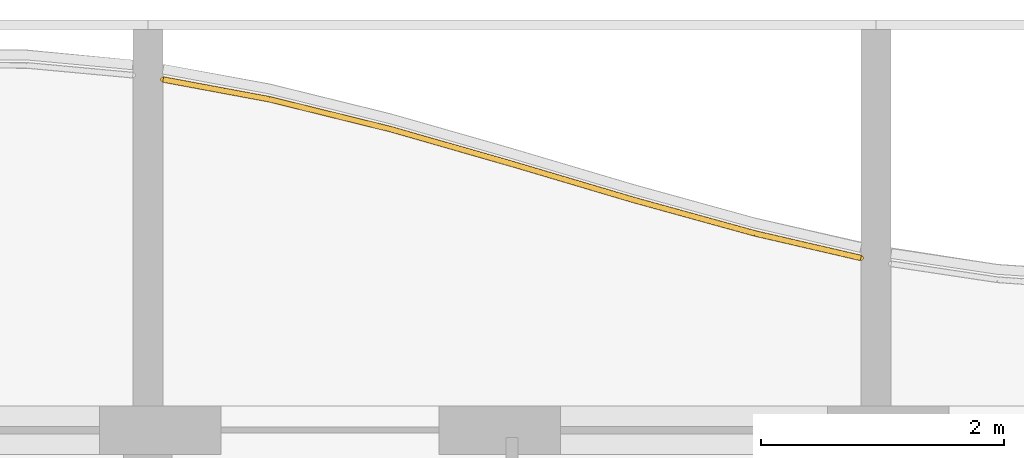
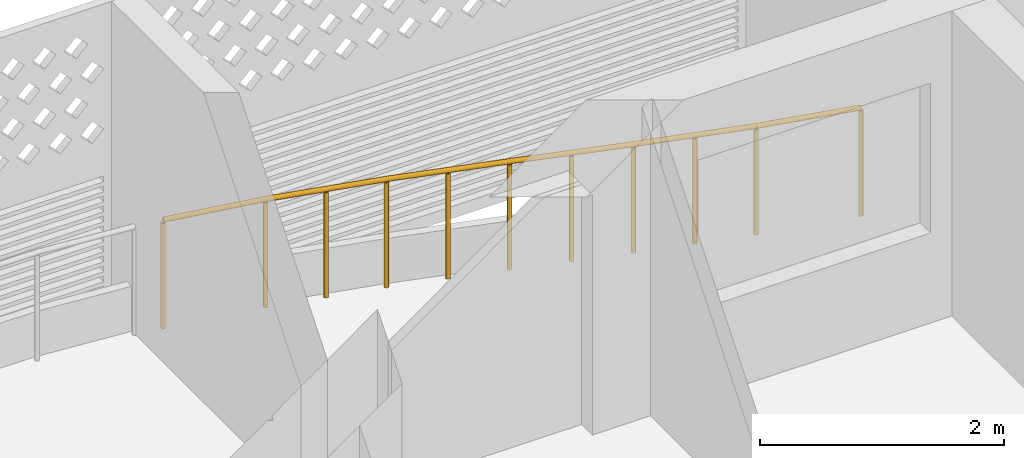
# One storey, part 33 of 39: 1 railing.
"""IFC4 building model written with IfcOpenShell, lengths in metres."""

from ifc_helpers import new_model, si_unit, direction, frame, origin, origin_2d, place, context, subcontext, project, spatial, circle, extrude, material, type_object, element, save


model = new_model("IFC4")

# Units and contexts
model_context = context("Model", 3, precision=1e-05, world=origin(), true_north=direction((0.0, 1.0)))
body_context = subcontext(model_context, "Body", "Model", "MODEL_VIEW")
ifc_project = project(units=[si_unit("LENGTHUNIT", "METRE"), si_unit("AREAUNIT", "SQUARE_METRE"), si_unit("VOLUMEUNIT", "CUBIC_METRE"), si_unit("PLANEANGLEUNIT", "RADIAN"), si_unit("MASSUNIT", "GRAM", prefix="KILO")], contexts=[model_context])

# Site, building, storey
site_placement = place(None, origin())
site = spatial("IfcSite", under=ifc_project, at=site_placement, CompositionType="ELEMENT")
building_placement = place(site_placement, origin())
building = spatial("IfcBuilding", under=site, at=building_placement, Name="Poui Terraces", CompositionType="ELEMENT")
storey_placement = place(building_placement, frame((0.0, 0.0, 56.39990234375)))
storey = spatial("IfcBuildingStorey", under=building, at=storey_placement, Name="L15", CompositionType="ELEMENT", Elevation=56.39990234375)

# Railing
ifc_material = material(Name="Painted steel fretwork", Category="steel")
railing_type = type_object("IfcRailingType", Name="BALCONY GUARD 1100", PredefinedType="GUARDRAIL", material=ifc_material)
railing_placement = place(storey_placement, frame((66.125, 47.689697265625, 0.0)))
element("IfcRailing", 1, at=railing_placement, inside=storey, type_object=railing_type, Name="BALCONY GUARD", PredefinedType="GUARDRAIL", context=body_context, shape_type="SweptSolid", body=[
    extrude(circle(Radius=0.02392578125, at=origin_2d()), frame((0.0, 0.0, 1.076171875), z_axis=(0.983119723729, -0.182963408406, 0.0), x_axis=(0.182963408406, 0.983119723729, 0.0)), (0.0, 0.0, 1.0), 0.89013671875),
    extrude(circle(Radius=0.02392578125, at=origin_2d()), frame((0.875, -0.162841796875, 1.076171875), z_axis=(0.970918311966, -0.239411009542, 0.0), x_axis=(0.239411009542, 0.970918311966, 0.0)), (0.0, 0.0, 1.0), 1.030029296875),
    extrude(circle(Radius=0.02392578125, at=origin_2d()), frame((1.875, -0.409423828125, 1.076171875), z_axis=(0.96141758688, -0.275093118121, 0.0), x_axis=(0.275093118121, 0.96141758688, 0.0)), (0.0, 0.0, 1.0), 1.0400390625),
    extrude(circle(Radius=0.02392578125, at=origin_2d()), frame((2.875, -0.695556640625, 1.076171875), z_axis=(0.958774495191, -0.284168026651, 0.0), x_axis=(0.284168026651, 0.958774495191, 0.0)), (0.0, 0.0, 1.0), 1.04296875),
    extrude(circle(Radius=0.02392578125, at=origin_2d()), frame((3.875, -0.991943359375, 1.076171875), z_axis=(0.963988457226, -0.265944081217, 0.0), x_axis=(0.265944081217, 0.963988457226, 0.0)), (0.0, 0.0, 1.0), 1.037353515625),
    extrude(circle(Radius=0.02392578125, at=origin_2d()), frame((4.875, -1.267822265625, 1.076171875), z_axis=(0.974216814209, -0.225613826951, 0.0), x_axis=(0.225613826951, 0.974216814209, 0.0)), (0.0, 0.0, 1.0), 0.898193359375),
    extrude(circle(Radius=0.02099609375, at=origin_2d()), origin(), (0.0, 0.0, 1.0), 1.052001953125),
    extrude(circle(Radius=0.02099609375, at=origin_2d()), frame((0.875, -0.162841796875, 0.0)), (0.0, 0.0, 1.0), 1.052001953125),
    extrude(circle(Radius=0.02099609375, at=origin_2d()), frame((1.375, -0.2861328125, 0.0)), (0.0, 0.0, 1.0), 1.052001953125),
    extrude(circle(Radius=0.02099609375, at=origin_2d()), frame((1.875, -0.409423828125, 0.0)), (0.0, 0.0, 1.0), 1.052001953125),
    extrude(circle(Radius=0.02099609375, at=origin_2d()), frame((2.375, -0.552490234375, 0.0)), (0.0, 0.0, 1.0), 1.052001953125),
    extrude(circle(Radius=0.02099609375, at=origin_2d()), frame((2.875, -0.695556640625, 0.0)), (0.0, 0.0, 1.0), 1.052001953125),
    extrude(circle(Radius=0.02099609375, at=origin_2d()), frame((3.375, -0.84375, 0.0)), (0.0, 0.0, 1.0), 1.052001953125),
    extrude(circle(Radius=0.02099609375, at=origin_2d()), frame((3.875, -0.991943359375, 0.0)), (0.0, 0.0, 1.0), 1.052001953125),
    extrude(circle(Radius=0.02099609375, at=origin_2d()), frame((4.375, -1.1298828125, 0.0)), (0.0, 0.0, 1.0), 1.052001953125),
    extrude(circle(Radius=0.02099609375, at=origin_2d()), frame((4.875, -1.267822265625, 0.0)), (0.0, 0.0, 1.0), 1.052001953125),
    extrude(circle(Radius=0.02099609375, at=origin_2d()), frame((5.75, -1.470458984375, 0.0)), (0.0, 0.0, 1.0), 1.052001953125),
])

save(model, "model.ifc")
